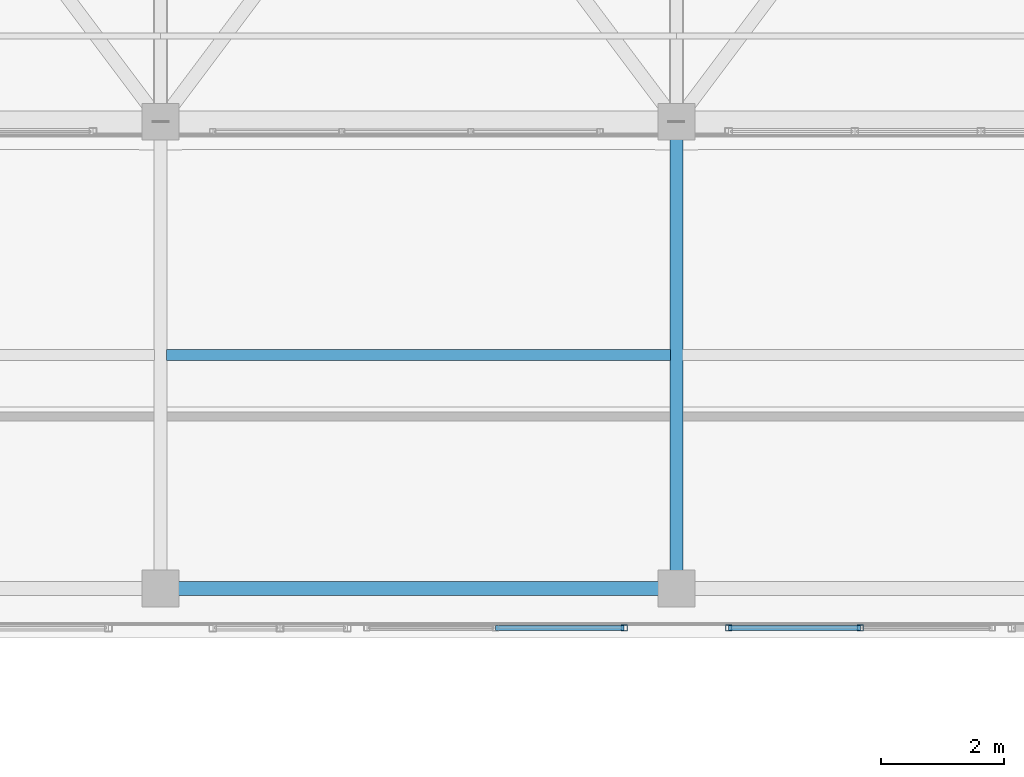
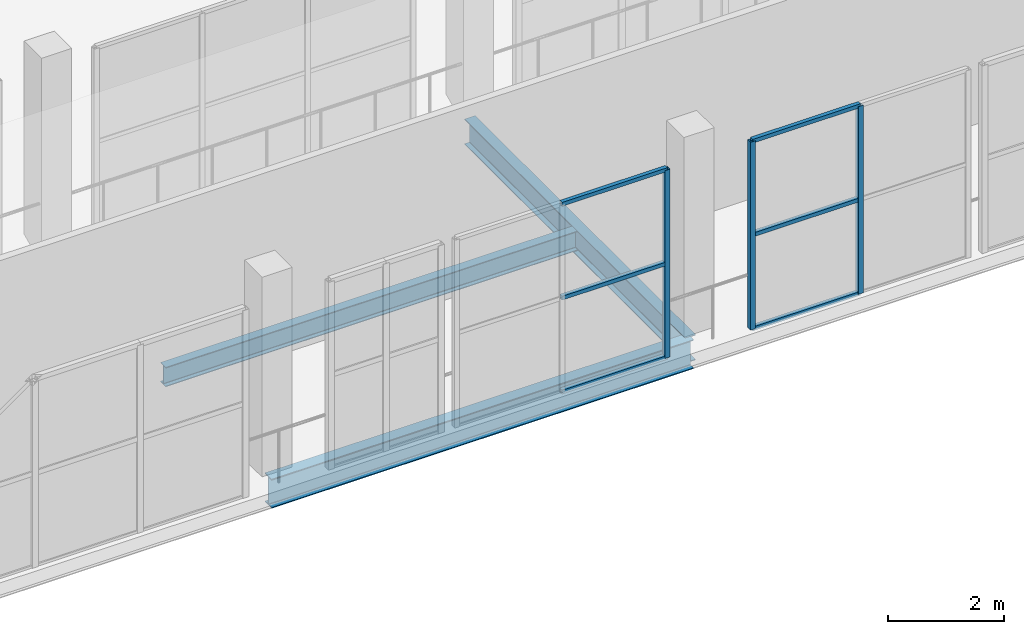
# One storey, part 86 of 217: 9 members, 3 beams, 2 elements without a shape of their own.
"""IFC4 building model written with IfcOpenShell, lengths in metres."""

from ifc_helpers import new_model, si_unit, direction, frame, origin, origin_2d, place, context, subcontext, project, spatial, hollow_rectangle, i_section, extrude, material, material_profile, profile_set, type_object, element, aggregate, save


model = new_model("IFC4")

# Units and contexts
model_context = context("Model", 3, precision=1e-05, world=origin(), true_north=direction((0.0, 1.0)))
body_context = subcontext(model_context, "Body", "Model", "MODEL_VIEW")
ifc_project = project(units=[si_unit("LENGTHUNIT", "METRE"), si_unit("AREAUNIT", "SQUARE_METRE"), si_unit("VOLUMEUNIT", "CUBIC_METRE"), si_unit("PLANEANGLEUNIT", "RADIAN"), si_unit("MASSUNIT", "GRAM", prefix="KILO")], contexts=[model_context])

# Site, building, storey
site_placement = place(None, origin())
site = spatial("IfcSite", under=ifc_project, at=site_placement, CompositionType="ELEMENT")
building_placement = place(site_placement, origin())
building = spatial("IfcBuilding", under=site, at=building_placement, Name="Zuvorla Pavilion Media Centre", CompositionType="ELEMENT")
storey_placement = place(building_placement, frame((0.0, 0.0, 9.60009765625)))
storey = spatial("IfcBuildingStorey", under=building, at=storey_placement, Name="L02", CompositionType="ELEMENT", Elevation=9.60009765625)

# Beams
ifc_material_1 = material(Name="Steel S355", Category="steel")
ifc_material_profile_1 = material_profile(ifc_material_1, i_section(OverallWidth=0.1787109375, OverallDepth=0.409423828125, WebThickness=0.0087890625, FlangeThickness=0.014404296875, FilletRadius=0.01025390625, at=origin_2d()), Name="UB 406x178x67")
ifc_profile_set_1 = profile_set([ifc_material_profile_1], Name="Steel S355")
beam_type_1 = type_object("IfcBeamType", Name="BM-UB406", PredefinedType="JOIST", material=ifc_profile_set_1)
beam_1_placement = place(storey_placement, frame((108.89990234375, 85.800048828125, -0.472900390625), z_axis=(1.0, 0.0, 0.0), x_axis=(0.0, 1.0, 0.0)))
element("IfcBeam", 1, at=beam_1_placement, inside=storey, type_object=beam_type_1, Name="L02 joist J02 1031", PredefinedType="JOIST", context=body_context, shape_type="SweptSolid", body=[
    extrude(i_section(OverallWidth=0.1787109375, OverallDepth=0.409423828125, WebThickness=0.0087890625, FlangeThickness=0.014404296875, FilletRadius=0.01025390625, at=origin_2d()), origin(), (0.0, 0.0, 1.0), 8.2001953125),
])
ifc_material_profile_2 = material_profile(ifc_material_1, i_section(OverallWidth=0.2099609375, OverallDepth=0.53662109375, WebThickness=0.0107421875, FlangeThickness=0.017333984375, FilletRadius=0.0126953125, at=origin_2d()), Name="UB 533x210x101")
ifc_profile_set_2 = profile_set([ifc_material_profile_2], Name="Steel S355")
beam_type_2 = type_object("IfcBeamType", Name="BM-UB533", PredefinedType="BEAM", material=ifc_profile_set_2)
beam_2_placement = place(storey_placement, frame((117.199951171875, 82.0, -0.536376953125), z_axis=(0.0, 1.0, 0.0), x_axis=(-1.0, 0.0, 0.0)))
element("IfcBeam", 2, at=beam_2_placement, inside=storey, type_object=beam_type_2, Name="L02 beam B08 962", PredefinedType="BEAM", context=body_context, shape_type="SweptSolid", body=[
    extrude(i_section(OverallWidth=0.2099609375, OverallDepth=0.53662109375, WebThickness=0.0107421875, FlangeThickness=0.017333984375, FilletRadius=0.0126953125, at=origin_2d()), origin(), (0.0, 0.0, 1.0), 7.60009765625),
])
ifc_material_profile_3 = material_profile(ifc_material_1, i_section(OverallWidth=0.22900390625, OverallDepth=0.6123046875, WebThickness=0.011962890625, FlangeThickness=0.01953125, FilletRadius=0.0126953125, at=origin_2d()), Name="UB 610x229x125")
ifc_profile_set_3 = profile_set([ifc_material_profile_3], Name="Steel S355")
beam_type_3 = type_object("IfcBeamType", Name="BM-UB610", PredefinedType="BEAM", material=ifc_profile_set_3)
beam_3_placement = place(storey_placement, frame((108.800048828125, 82.0, -0.57421875), z_axis=(1.0, 0.0, 0.0), x_axis=(0.0, 1.0, 0.0)))
element("IfcBeam", 3, at=beam_3_placement, inside=storey, type_object=beam_type_3, Name="L02 beam B07 869", PredefinedType="BEAM", context=body_context, shape_type="SweptSolid", body=[
    extrude(i_section(OverallWidth=0.22900390625, OverallDepth=0.6123046875, WebThickness=0.011962890625, FlangeThickness=0.01953125, FilletRadius=0.0126953125, at=origin_2d()), origin(), (0.0, 0.0, 1.0), 8.39990234375),
])

# Curtain wall, members
ifc_material_2 = material(Name="Unitised anodised aluminium and solar glass curtain wall", Category="aluminium")
curtain_wall_type_1 = type_object("IfcCurtainWallType", Name="CW-SYS-51", PredefinedType="USERDEFINED", material=ifc_material_2)
curtain_wall_1_placement = place(storey_placement, origin())
curtain_wall_1 = element("IfcCurtainWall", 4, at=curtain_wall_1_placement, inside=storey, type_object=curtain_wall_type_1, Name="L02 curtain wall CW51 77", ObjectType="CURTAIN WALL", PredefinedType="USERDEFINED")
ifc_material_3 = material(Name="Anodised aluminium 6063-T6", Category="aluminium")
ifc_material_profile_4 = material_profile(ifc_material_3, hollow_rectangle(XDim=0.10009765625, YDim=0.10009765625, WallThickness=0.00439453125, at=origin_2d()), Name="ALU MULL 100x100")
ifc_profile_set_4 = profile_set([ifc_material_profile_4], Name="Anodised aluminium 6063-T6")
member_type_1 = type_object("IfcMemberType", Name="CW-MULL-100", PredefinedType="MULLION", material=ifc_profile_set_4)
member_1_placement = place(storey_placement, frame((120.195068359375, 81.360107421875, 0.0), z_axis=(0.0, 0.0, 1.0), x_axis=(1.0, 0.0, 0.0)))
member_1 = element("IfcMember", 5, at=member_1_placement, type_object=member_type_1, Name="CW51 mullion 2", PredefinedType="MULLION", context=body_context, shape_type="SweptSolid", body=[
    extrude(hollow_rectangle(XDim=0.10009765625, YDim=0.10009765625, WallThickness=0.00439453125, at=origin_2d()), origin(), (0.0, 0.0, 1.0), 3.949951171875),
])
member_2_placement = place(storey_placement, frame((118.05029296875, 81.360107421875, 0.0), z_axis=(0.0, 0.0, 1.0), x_axis=(1.0, 0.0, 0.0)))
member_2 = element("IfcMember", 6, at=member_2_placement, type_object=member_type_1, Name="CW51 mullion 3", PredefinedType="MULLION", context=body_context, shape_type="SweptSolid", body=[
    extrude(hollow_rectangle(XDim=0.10009765625, YDim=0.10009765625, WallThickness=0.00439453125, at=origin_2d()), origin(), (0.0, 0.0, 1.0), 3.949951171875),
])

# Curtain wall, member
curtain_wall_type_2 = type_object("IfcCurtainWallType", Name="CW-SYS-52", PredefinedType="USERDEFINED", material=ifc_material_2)
curtain_wall_2_placement = place(storey_placement, origin())
curtain_wall_2 = element("IfcCurtainWall", 7, at=curtain_wall_2_placement, inside=storey, type_object=curtain_wall_type_2, Name="L02 curtain wall CW52 78", ObjectType="CURTAIN WALL", PredefinedType="USERDEFINED")
member_3_placement = place(storey_placement, frame((116.349609375, 81.360107421875, 0.0), z_axis=(0.0, 0.0, 1.0), x_axis=(1.0, 0.0, 0.0)))
member_3 = element("IfcMember", 8, at=member_3_placement, type_object=member_type_1, Name="CW52 mullion 1", PredefinedType="MULLION", context=body_context, shape_type="SweptSolid", body=[
    extrude(hollow_rectangle(XDim=0.10009765625, YDim=0.10009765625, WallThickness=0.00439453125, at=origin_2d()), origin(), (0.0, 0.0, 1.0), 3.949951171875),
])

# Member
ifc_material_profile_5 = material_profile(ifc_material_3, hollow_rectangle(XDim=0.080078125, YDim=0.080078125, WallThickness=0.00390625, at=origin_2d()), Name="ALU TRAN 80x80")
ifc_profile_set_5 = profile_set([ifc_material_profile_5], Name="Anodised aluminium 6063-T6")
member_type_2 = type_object("IfcMemberType", Name="CW-TRAN-80", PredefinedType="USERDEFINED", material=ifc_profile_set_5)
member_4_placement = place(storey_placement, frame((120.195068359375, 81.360107421875, 0.0), z_axis=(-1.0, 0.0, 0.0), x_axis=(0.0, -1.0, 0.0)))
member_4 = element("IfcMember", 9, at=member_4_placement, type_object=member_type_2, Name="CW51 transom 2.1", ObjectType="TRANSOM", PredefinedType="USERDEFINED", context=body_context, shape_type="SweptSolid", body=[
    extrude(hollow_rectangle(XDim=0.080078125, YDim=0.080078125, WallThickness=0.00390625, at=origin_2d()), origin(), (0.0, 0.0, 1.0), 2.144775390625),
])

member_5_placement = place(storey_placement, frame((120.195068359375, 81.360107421875, 1.974853515625), z_axis=(-1.0, 0.0, 0.0), x_axis=(0.0, -1.0, 0.0)))
member_5 = element("IfcMember", 10, at=member_5_placement, type_object=member_type_2, Name="CW51 transom 2.2", ObjectType="TRANSOM", PredefinedType="USERDEFINED", context=body_context, shape_type="SweptSolid", body=[
    extrude(hollow_rectangle(XDim=0.080078125, YDim=0.080078125, WallThickness=0.00390625, at=origin_2d()), origin(), (0.0, 0.0, 1.0), 2.144775390625),
])

member_6_placement = place(storey_placement, frame((120.195068359375, 81.360107421875, 3.949951171875), z_axis=(-1.0, 0.0, 0.0), x_axis=(0.0, -1.0, 0.0)))
member_6 = element("IfcMember", 11, at=member_6_placement, type_object=member_type_2, Name="CW51 transom 2.3", ObjectType="TRANSOM", PredefinedType="USERDEFINED", context=body_context, shape_type="SweptSolid", body=[
    extrude(hollow_rectangle(XDim=0.080078125, YDim=0.080078125, WallThickness=0.00390625, at=origin_2d()), origin(), (0.0, 0.0, 1.0), 2.144775390625),
])

aggregate(curtain_wall_1, [member_1, member_2, member_4, member_5, member_6])

member_7_placement = place(storey_placement, frame((116.349609375, 81.360107421875, 0.0), z_axis=(-1.0, 0.0, 0.0), x_axis=(0.0, -1.0, 0.0)))
member_7 = element("IfcMember", 12, at=member_7_placement, type_object=member_type_2, Name="CW52 transom 1.1", ObjectType="TRANSOM", PredefinedType="USERDEFINED", context=body_context, shape_type="SweptSolid", body=[
    extrude(hollow_rectangle(XDim=0.080078125, YDim=0.080078125, WallThickness=0.00390625, at=origin_2d()), origin(), (0.0, 0.0, 1.0), 2.0947265625),
])

member_8_placement = place(storey_placement, frame((116.349609375, 81.360107421875, 1.974853515625), z_axis=(-1.0, 0.0, 0.0), x_axis=(0.0, -1.0, 0.0)))
member_8 = element("IfcMember", 13, at=member_8_placement, type_object=member_type_2, Name="CW52 transom 1.2", ObjectType="TRANSOM", PredefinedType="USERDEFINED", context=body_context, shape_type="SweptSolid", body=[
    extrude(hollow_rectangle(XDim=0.080078125, YDim=0.080078125, WallThickness=0.00390625, at=origin_2d()), origin(), (0.0, 0.0, 1.0), 2.0947265625),
])

member_9_placement = place(storey_placement, frame((116.349609375, 81.360107421875, 3.949951171875), z_axis=(-1.0, 0.0, 0.0), x_axis=(0.0, -1.0, 0.0)))
member_9 = element("IfcMember", 14, at=member_9_placement, type_object=member_type_2, Name="CW52 transom 1.3", ObjectType="TRANSOM", PredefinedType="USERDEFINED", context=body_context, shape_type="SweptSolid", body=[
    extrude(hollow_rectangle(XDim=0.080078125, YDim=0.080078125, WallThickness=0.00390625, at=origin_2d()), origin(), (0.0, 0.0, 1.0), 2.0947265625),
])

aggregate(curtain_wall_2, [member_3, member_7, member_8, member_9])

save(model, "model.ifc")
